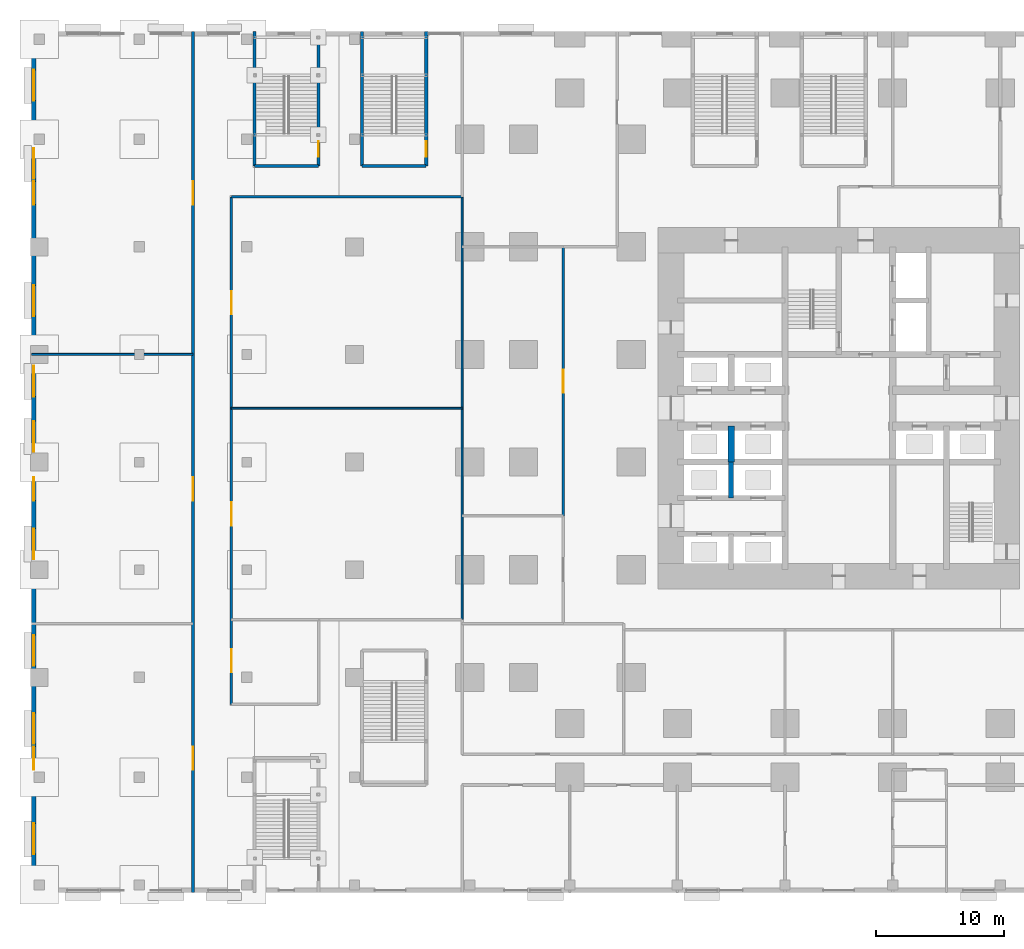
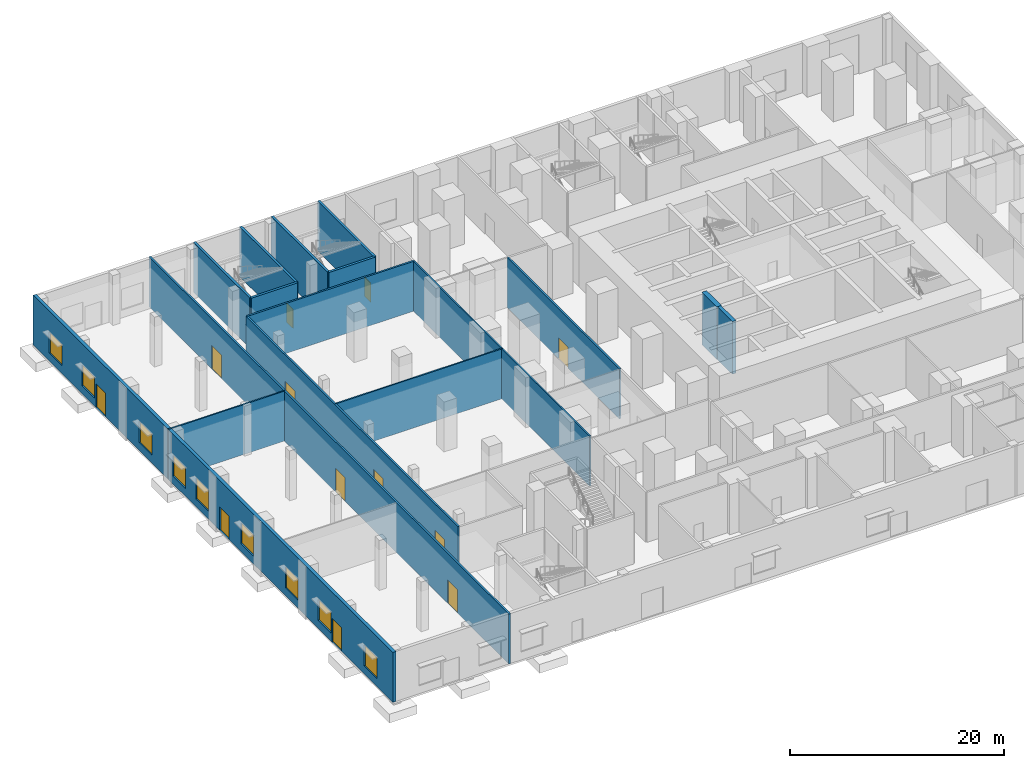
# One storey, part 17 of 26: 16 walls, 12 doors, 9 windows, 21 openings.
"""IFC4 building model written with IfcOpenShell, lengths in metres."""

import ifcopenshell
import ifcopenshell.guid

model = None  # the IFC model being written
_history = None  # IfcOwnerHistory: only IFC2X3 demands one
_inside = {}  # id of a spatial element -> (the spatial element, [elements in it])
_under = {}  # id of a project, library or spatial element -> (it, [spatial elements below it])
_declared = {}  # id of a project -> (the project, [libraries it declares])
_typed = {}  # id of a type object -> (the type object, [elements of that type])
_made_of = {}  # id of a material, layer set ... -> (it, [elements and type objects made of it])


def new_model(schema):
    """Start an empty IFC model of exactly this schema.

    Asked for "IFC4X3", IfcOpenShell would pick the latest addendum, in which some entities
    have other attributes; the version numbers below select the first issue.
    IFC2X3 requires an IfcOwnerHistory on every rooted entity: one is made here for all.
    """
    global model, _history
    if schema == "IFC4X3":
        model = ifcopenshell.file(schema_version=(4, 3, 0, 0))
    else:
        model = ifcopenshell.file(schema=schema)
    _inside.clear()
    _under.clear()
    _declared.clear()
    _typed.clear()
    _made_of.clear()
    _history = None
    if model.schema == "IFC2X3":
        org = make("IfcOrganization", Name="unknown")
        user = make(
            "IfcPersonAndOrganization",
            ThePerson=make("IfcPerson", FamilyName="unknown"),
            TheOrganization=org,
        )
        app = make(
            "IfcApplication",
            ApplicationDeveloper=org,
            Version="unknown",
            ApplicationFullName="unknown",
            ApplicationIdentifier="unknown",
        )
        _history = make(
            "IfcOwnerHistory",
            OwningUser=user,
            OwningApplication=app,
            ChangeAction="ADDED",
            CreationDate=0,
        )
    return model


def make(cls, **values):
    """One entity of the class cls with the attributes given. An attribute that is None is left unset."""
    return model.create_entity(
        cls, **{name: value for name, value in values.items() if value is not None}
    )


def rooted(cls, **values):
    """An entity with a GlobalId (a new one), such as an element, a storey or a relation."""
    return make(cls, GlobalId=ifcopenshell.guid.new(), OwnerHistory=_history, **values)


def si_unit(unit_type, name, prefix=None):
    """IfcSIUnit, for example si_unit("LENGTHUNIT", "METRE", prefix="MILLI")."""
    return make("IfcSIUnit", UnitType=unit_type, Prefix=prefix, Name=name)


def assignment(units):
    """IfcUnitAssignment: the units of a project."""
    return None if units is None else make("IfcUnitAssignment", Units=units)


def point(xyz):
    """IfcCartesianPoint."""
    return None if xyz is None else make("IfcCartesianPoint", Coordinates=xyz)


def direction(xyz):
    """IfcDirection."""
    return None if xyz is None else make("IfcDirection", DirectionRatios=xyz)


def frame(location, z_axis=None, x_axis=None):
    """IfcAxis2Placement3D, a coordinate frame: its origin and axes. An axis left out is left unset."""
    return make(
        "IfcAxis2Placement3D",
        Location=point(location),
        Axis=direction(z_axis),
        RefDirection=direction(x_axis),
    )


def frame_2d(location, x_axis=None):
    """IfcAxis2Placement2D, a coordinate frame in the plane: its origin and x axis."""
    return make(
        "IfcAxis2Placement2D", Location=point(location), RefDirection=direction(x_axis)
    )


def origin():
    """The frame at (0, 0, 0) with its axes left unset."""
    return frame((0.0, 0.0, 0.0))


def place(relative_to, where):
    """IfcLocalPlacement: puts the frame where relative to a parent placement (None: the world)."""
    return make(
        "IfcLocalPlacement", PlacementRelTo=relative_to, RelativePlacement=where
    )


def context(
    kind, dimensions, precision=None, world=None, true_north=None, identifier=None
):
    """IfcGeometricRepresentationContext, for example the 3D "Model" context."""
    return make(
        "IfcGeometricRepresentationContext",
        ContextIdentifier=identifier,
        ContextType=kind,
        CoordinateSpaceDimension=dimensions,
        Precision=precision,
        WorldCoordinateSystem=world,
        TrueNorth=true_north,
    )


def subcontext(parent, identifier, kind, view, scale=None):
    """IfcGeometricRepresentationSubContext, for example "Body" below "Model"."""
    return make(
        "IfcGeometricRepresentationSubContext",
        ContextIdentifier=identifier,
        ContextType=kind,
        ParentContext=parent,
        TargetScale=scale,
        TargetView=view,
    )


def project(units=None, contexts=None):
    """IfcProject with its units and contexts."""
    return rooted(
        "IfcProject",
        Name="project",
        RepresentationContexts=contexts,
        UnitsInContext=assignment(units),
    )


def spatial(cls, under=None, at=None, **own):
    """A site, building, storey or space (cls), placed at a placement, below another one or the project."""
    s = rooted(cls, ObjectPlacement=at, **own)
    if under is not None:
        _under.setdefault(under.id(), (under, []))[1].append(s)
    return s


def profile(cls, at=None, kind="AREA", **sizes):
    """A parametric profile (cls). Its sizes go by their IFC names, for example OverallWidth=200.0."""
    return make(cls, ProfileType=kind, Position=at, **sizes)


def rectangle(**sizes):
    """IfcRectangleProfileDef."""
    return profile("IfcRectangleProfileDef", **sizes)


def extrude(swept, where, along, depth):
    """IfcExtrudedAreaSolid: the profile swept, set in the frame where, extruded along a direction by depth."""
    return make(
        "IfcExtrudedAreaSolid",
        SweptArea=swept,
        Position=where,
        ExtrudedDirection=direction(along),
        Depth=depth,
    )


def shape(context_of_items, identifier, shape_type, items):
    """IfcShapeRepresentation: the items that make up one representation, for example the "Body"."""
    return make(
        "IfcShapeRepresentation",
        ContextOfItems=context_of_items,
        RepresentationIdentifier=identifier,
        RepresentationType=shape_type,
        Items=items,
    )


def material(Name=None, Category=None):
    """IfcMaterial."""
    return make("IfcMaterial", Name=Name, Category=Category)


def layer(
    of_material, thickness, ventilated=None, Name=None, Category=None, Priority=None
):
    """IfcMaterialLayer: one layer of a wall or slab, of a material (None: an air gap)."""
    return make(
        "IfcMaterialLayer",
        Material=of_material,
        LayerThickness=thickness,
        IsVentilated=ventilated,
        Name=Name,
        Category=Category,
        Priority=Priority,
    )


def layer_set(layers, Name=None):
    """IfcMaterialLayerSet."""
    return make("IfcMaterialLayerSet", MaterialLayers=layers, LayerSetName=Name)


def made_of(thing, what):
    """Note that an element or type object is made of a material, layer set ...; save() writes the relation."""
    if what is not None:
        _made_of.setdefault(what.id(), (what, []))[1].append(thing)
    return thing


def type_object(cls, material=None, **own):
    """A type object (cls), such as IfcWallType, which elements share."""
    return made_of(rooted(cls, **own), material)


def element(
    cls,
    number,
    at=None,
    inside=None,
    cuts=None,
    type_object=None,
    material=None,
    context=None,
    identifier="Body",
    shape_type=None,
    held_by="IfcProductDefinitionShape",
    body=None,
    shapes=None,
    **own,
):
    """One element of the class cls, such as IfcWall. Its Tag is "e" and its number.

    at: its placement. inside: the storey or other place that contains it. cuts: it is an
    opening in that element (IfcRelVoidsElement). A single representation is given by context,
    identifier, shape_type and body (its items); several are given by shapes. held_by: the class
    of the entity that holds the representations. save() writes the other relations.
    """
    e = rooted(cls, Tag="e%d" % number, ObjectPlacement=at, **own)
    if body is not None:
        shapes = [shape(context, identifier, shape_type, body)]
    if shapes is not None:
        e.Representation = make(held_by, Representations=shapes)
    if inside is not None:
        _inside.setdefault(inside.id(), (inside, []))[1].append(e)
    if cuts is not None:
        rooted(
            "IfcRelVoidsElement", RelatingBuildingElement=cuts, RelatedOpeningElement=e
        )
    if type_object is not None:
        _typed.setdefault(type_object.id(), (type_object, []))[1].append(e)
    return made_of(e, material)


def fill(opening, filler):
    """IfcRelFillsElement: the door or window that sits in an opening."""
    return rooted(
        "IfcRelFillsElement",
        RelatingOpeningElement=opening,
        RelatedBuildingElement=filler,
    )


def aggregate(whole, parts):
    """IfcRelAggregates: a whole, such as a stair, and the parts it consists of."""
    return rooted("IfcRelAggregates", RelatingObject=whole, RelatedObjects=parts)


def save(model, path):
    """Write the relations noted so far, then the file.

    IfcRelAggregates (storeys below a building ...), IfcRelContainedInSpatialStructure (elements
    in a storey), IfcRelDefinesByType, IfcRelAssociatesMaterial and IfcRelDeclares: one each for
    every whole, place, type object, material and project.
    """
    for whole, parts in _under.values():
        aggregate(whole, parts)
    for where, things in _inside.values():
        rooted(
            "IfcRelContainedInSpatialStructure",
            RelatedElements=things,
            RelatingStructure=where,
        )
    for kind, things in _typed.values():
        rooted("IfcRelDefinesByType", RelatedObjects=things, RelatingType=kind)
    for what, things in _made_of.values():
        rooted("IfcRelAssociatesMaterial", RelatedObjects=things, RelatingMaterial=what)
    for by, libraries in _declared.values():
        rooted("IfcRelDeclares", RelatingContext=by, RelatedDefinitions=libraries)
    model.write(path)


model = new_model("IFC4")

# Units and contexts
model_context = context("Model", 3, precision=1e-05, world=origin(), true_north=direction((0.0, 1.0)))
body_context = subcontext(model_context, "Body", "Model", "MODEL_VIEW")
ifc_project = project(units=[si_unit("LENGTHUNIT", "METRE"), si_unit("AREAUNIT", "SQUARE_METRE"), si_unit("VOLUMEUNIT", "CUBIC_METRE"), si_unit("PLANEANGLEUNIT", "RADIAN"), si_unit("MASSUNIT", "GRAM", prefix="KILO")], contexts=[model_context])

# Site, building, storey
site_placement = place(None, origin())
site = spatial("IfcSite", under=ifc_project, at=site_placement, CompositionType="ELEMENT")
building_placement = place(site_placement, origin())
building = spatial("IfcBuilding", under=site, at=building_placement, Name="Dunama Terrace Hotel", CompositionType="ELEMENT")
storey_placement = place(building_placement, origin())
storey = spatial("IfcBuildingStorey", under=building, at=storey_placement, Name="L00", CompositionType="ELEMENT", Elevation=0.0)

# Walls
ifc_material_1 = material(Name="Concrete C50/60", Category="concrete")
ifc_layer_1 = layer(ifc_material_1, 0.39990234375)
ifc_layer_set_1 = layer_set([ifc_layer_1], Name="Core inner wall 400")
wall_type_1 = type_object("IfcWallType", Name="Core inner wall 400", PredefinedType="SHEAR", material=ifc_layer_set_1)
wall_1_placement = place(storey_placement, frame((21.0, 22.39990234375, -0.300048828125), z_axis=(0.0, 0.0, 1.0), x_axis=(0.0, 1.0, 0.0)))
element("IfcWall", 1, at=wall_1_placement, inside=storey, type_object=wall_type_1, Name="Core inner wall 400 L00", PredefinedType="SHEAR", context=body_context, shape_type="SweptSolid", body=[
    extrude(rectangle(XDim=2.800048828125, YDim=0.39990234375, at=frame_2d((1.39990234375, 0.0))), origin(), (0.0, 0.0, 1.0), 6.0),
])
ifc_material_2 = material(Name="Concrete C50/60", Category="concrete")
ifc_layer_2 = layer(ifc_material_2, 0.5)
ifc_layer_set_2 = layer_set([ifc_layer_2], Name="Core inner wall 500")
wall_type_2 = type_object("IfcWallType", Name="Core inner wall 500", PredefinedType="SHEAR", material=ifc_layer_set_2)
wall_2_placement = place(storey_placement, frame((21.0, 25.199951171875, -0.300048828125), z_axis=(0.0, 0.0, 1.0), x_axis=(0.0, 1.0, 0.0)))
element("IfcWall", 2, at=wall_2_placement, inside=storey, type_object=wall_type_2, Name="Core inner wall 500 L00", PredefinedType="SHEAR", context=body_context, shape_type="SweptSolid", body=[
    extrude(rectangle(XDim=2.800048828125, YDim=0.5, at=frame_2d((1.39990234375, 0.0))), origin(), (0.0, 0.0, 1.0), 6.0),
])

# Wall, openings, doors
ifc_material_3 = material(Name="Concrete blockwork", Category="masonry")
ifc_layer_3 = layer(ifc_material_3, 0.199951171875)
ifc_layer_set_3 = layer_set([ifc_layer_3], Name="Corridor partition 200")
wall_type_3 = type_object("IfcWallType", Name="Corridor partition 200", PredefinedType="PARTITIONING", material=ifc_layer_set_3)
wall_3_placement = place(storey_placement, frame((-18.0, 6.300048828125, 0.0), z_axis=(0.0, 0.0, 1.0), x_axis=(0.0, 1.0, 0.0)))
wall_3 = element("IfcWall", 3, at=wall_3_placement, inside=storey, type_object=wall_type_3, Name="Corridor partition 200 L00", PredefinedType="PARTITIONING", context=body_context, shape_type="SweptSolid", body=[
    extrude(rectangle(XDim=39.599853515625, YDim=0.199951171875, at=frame_2d((19.7998046875, 0.0))), origin(), (0.0, 0.0, 1.0), 5.699951171875),
])
opening_1_placement = place(wall_3_placement, frame((13.949951171875, 0.0, 0.0)))
opening_1 = element("IfcOpeningElement", 4, at=opening_1_placement, cuts=wall_3, Name="Opening L00-069", PredefinedType="OPENING", context=body_context, shape_type="SweptSolid", body=[
    extrude(rectangle(XDim=1.800048828125, YDim=2.699951171875, at=frame_2d((0.89990234375, 1.35009765625))), frame((0.0, 0.10986328125, 0.0), z_axis=(0.0, -1.0, 0.0), x_axis=(1.0, 0.0, 0.0)), (0.0, 0.0, 1.0), 0.219970703125),
])
opening_2_placement = place(wall_3_placement, frame((30.449951171875, 0.0, 0.0)))
opening_2 = element("IfcOpeningElement", 5, at=opening_2_placement, cuts=wall_3, Name="Opening L00-070", PredefinedType="OPENING", context=body_context, shape_type="SweptSolid", body=[
    extrude(rectangle(XDim=1.800048828125, YDim=2.699951171875, at=frame_2d((0.89990234375, 1.35009765625))), frame((0.0, 0.10986328125, 0.0), z_axis=(0.0, -1.0, 0.0), x_axis=(1.0, 0.0, 0.0)), (0.0, 0.0, 1.0), 0.219970703125),
])
opening_3_placement = place(wall_3_placement, frame((2.5, 0.0, 0.0)))
opening_3 = element("IfcOpeningElement", 6, at=opening_3_placement, cuts=wall_3, Name="Opening L00-077", PredefinedType="OPENING", context=body_context, shape_type="SweptSolid", body=[
    extrude(rectangle(XDim=1.800048828125, YDim=2.699951171875, at=frame_2d((0.89990234375, 1.35009765625))), frame((0.0, 0.10986328125, 0.0), z_axis=(0.0, -1.0, 0.0), x_axis=(1.0, 0.0, 0.0)), (0.0, 0.0, 1.0), 0.219970703125),
])
ifc_material_4 = material(Name="Aluminium-framed glazed door", Category="aluminium")
door_type_1 = type_object("IfcDoorType", Name="Shopfront door 1800", OperationType="DOUBLE_DOOR_DOUBLE_SWING", PredefinedType="DOOR", material=ifc_material_4)
door_1_placement = place(opening_1_placement, origin())
door_1 = element("IfcDoor", 7, at=door_1_placement, inside=storey, type_object=door_type_1, Name="Door to retail unit r4 L00-069, type D11", OperationType="DOUBLE_DOOR_DOUBLE_SWING", OverallHeight=2.699951171875, OverallWidth=1.800048828125, PredefinedType="DOOR", context=body_context, shape_type="SweptSolid", body=[
    extrude(rectangle(XDim=1.800048828125, YDim=2.699951171875, at=frame_2d((0.89990234375, 1.35009765625))), frame((0.0, 0.02490234375, 0.0), z_axis=(0.0, -1.0, 0.0), x_axis=(1.0, 0.0, 0.0)), (0.0, 0.0, 1.0), 0.050048828125),
])
fill(opening_1, door_1)
door_2_placement = place(opening_2_placement, origin())
door_2 = element("IfcDoor", 8, at=door_2_placement, inside=storey, type_object=door_type_1, Name="Door to retail unit r5 L00-070, type D11", OperationType="DOUBLE_DOOR_DOUBLE_SWING", OverallHeight=2.699951171875, OverallWidth=1.800048828125, PredefinedType="DOOR", context=body_context, shape_type="SweptSolid", body=[
    extrude(rectangle(XDim=1.800048828125, YDim=2.699951171875, at=frame_2d((0.89990234375, 1.35009765625))), frame((0.0, 0.02490234375, 0.0), z_axis=(0.0, -1.0, 0.0), x_axis=(1.0, 0.0, 0.0)), (0.0, 0.0, 1.0), 0.050048828125),
])
fill(opening_2, door_2)
door_3_placement = place(opening_3_placement, origin())
door_3 = element("IfcDoor", 9, at=door_3_placement, inside=storey, type_object=door_type_1, Name="Door to newsagent retail kiosk L00-077, type D11", OperationType="DOUBLE_DOOR_DOUBLE_SWING", OverallHeight=2.699951171875, OverallWidth=1.800048828125, PredefinedType="DOOR", context=body_context, shape_type="SweptSolid", body=[
    extrude(rectangle(XDim=1.800048828125, YDim=2.699951171875, at=frame_2d((0.89990234375, 1.35009765625))), frame((0.0, 0.02490234375, 0.0), z_axis=(0.0, -1.0, 0.0), x_axis=(1.0, 0.0, 0.0)), (0.0, 0.0, 1.0), 0.050048828125),
])
fill(opening_3, door_3)

# Wall
wall_4_placement = place(storey_placement, frame((-18.0, 45.89990234375, 0.0), z_axis=(0.0, 0.0, 1.0), x_axis=(1.0, 0.0, 0.0)))
element("IfcWall", 10, at=wall_4_placement, inside=storey, type_object=wall_type_3, Name="Corridor partition 200 L00", PredefinedType="PARTITIONING", context=body_context, shape_type="SweptSolid", body=[
    extrude(rectangle(XDim=18.0, YDim=0.199951171875, at=frame_2d((9.0, 0.0))), origin(), (0.0, 0.0, 1.0), 5.699951171875),
])

# Wall, openings, doors
wall_5_placement = place(storey_placement, frame((-21.0, 58.800048828125, 0.0), z_axis=(0.0, 0.0, 1.0), x_axis=(0.0, -1.0, 0.0)))
wall_5 = element("IfcWall", 11, at=wall_5_placement, inside=storey, type_object=wall_type_3, Name="Corridor partition 200 L00", PredefinedType="PARTITIONING", context=body_context, shape_type="SweptSolid", body=[
    extrude(rectangle(XDim=67.199951171875, YDim=0.199951171875, at=frame_2d((33.60009765625, 0.0))), origin(), (0.0, 0.0, 1.0), 5.699951171875),
])
opening_4_placement = place(wall_5_placement, frame((55.800048828125, 0.0, 0.0)))
opening_4 = element("IfcOpeningElement", 12, at=opening_4_placement, cuts=wall_5, Name="Opening L00-052", PredefinedType="OPENING", context=body_context, shape_type="SweptSolid", body=[
    extrude(rectangle(XDim=1.800048828125, YDim=2.699951171875, at=frame_2d((0.89990234375, 1.35009765625))), frame((0.0, 0.10986328125, 0.0), z_axis=(0.0, -1.0, 0.0), x_axis=(1.0, 0.0, 0.0)), (0.0, 0.0, 1.0), 0.219970703125),
])
opening_5_placement = place(wall_5_placement, frame((34.800048828125, 0.0, 0.0)))
opening_5 = element("IfcOpeningElement", 13, at=opening_5_placement, cuts=wall_5, Name="Opening L00-053", PredefinedType="OPENING", context=body_context, shape_type="SweptSolid", body=[
    extrude(rectangle(XDim=1.800048828125, YDim=2.699951171875, at=frame_2d((0.89990234375, 1.35009765625))), frame((0.0, 0.10986328125, 0.0), z_axis=(0.0, -1.0, 0.0), x_axis=(1.0, 0.0, 0.0)), (0.0, 0.0, 1.0), 0.219970703125),
])
opening_6_placement = place(wall_5_placement, frame((11.699951171875, 0.0, 0.0)))
opening_6 = element("IfcOpeningElement", 14, at=opening_6_placement, cuts=wall_5, Name="Opening L00-054", PredefinedType="OPENING", context=body_context, shape_type="SweptSolid", body=[
    extrude(rectangle(XDim=1.800048828125, YDim=2.699951171875, at=frame_2d((0.89990234375, 1.35009765625))), frame((0.0, 0.10986328125, 0.0), z_axis=(0.0, -1.0, 0.0), x_axis=(1.0, 0.0, 0.0)), (0.0, 0.0, 1.0), 0.219970703125),
])
door_4_placement = place(opening_4_placement, origin())
door_4 = element("IfcDoor", 15, at=door_4_placement, inside=storey, type_object=door_type_1, Name="Door to retail unit r1 L00-052, type D11", OperationType="DOUBLE_DOOR_DOUBLE_SWING", OverallHeight=2.699951171875, OverallWidth=1.800048828125, PredefinedType="DOOR", context=body_context, shape_type="SweptSolid", body=[
    extrude(rectangle(XDim=1.800048828125, YDim=2.699951171875, at=frame_2d((0.89990234375, 1.35009765625))), frame((0.0, 0.02490234375, 0.0), z_axis=(0.0, -1.0, 0.0), x_axis=(1.0, 0.0, 0.0)), (0.0, 0.0, 1.0), 0.050048828125),
])
fill(opening_4, door_4)
door_5_placement = place(opening_5_placement, origin())
door_5 = element("IfcDoor", 16, at=door_5_placement, inside=storey, type_object=door_type_1, Name="Door to retail unit r2 L00-053, type D11", OperationType="DOUBLE_DOOR_DOUBLE_SWING", OverallHeight=2.699951171875, OverallWidth=1.800048828125, PredefinedType="DOOR", context=body_context, shape_type="SweptSolid", body=[
    extrude(rectangle(XDim=1.800048828125, YDim=2.699951171875, at=frame_2d((0.89990234375, 1.35009765625))), frame((0.0, 0.02490234375, 0.0), z_axis=(0.0, -1.0, 0.0), x_axis=(1.0, 0.0, 0.0)), (0.0, 0.0, 1.0), 0.050048828125),
])
fill(opening_5, door_5)
door_6_placement = place(opening_6_placement, origin())
door_6 = element("IfcDoor", 17, at=door_6_placement, inside=storey, type_object=door_type_1, Name="Door to retail unit r3 L00-054, type D11", OperationType="DOUBLE_DOOR_DOUBLE_SWING", OverallHeight=2.699951171875, OverallWidth=1.800048828125, PredefinedType="DOOR", context=body_context, shape_type="SweptSolid", body=[
    extrude(rectangle(XDim=1.800048828125, YDim=2.699951171875, at=frame_2d((0.89990234375, 1.35009765625))), frame((0.0, 0.02490234375, 0.0), z_axis=(0.0, -1.0, 0.0), x_axis=(1.0, 0.0, 0.0)), (0.0, 0.0, 1.0), 0.050048828125),
])
fill(opening_6, door_6)

# Wall, opening, door
wall_6_placement = place(storey_placement, frame((7.89990234375, 42.0, 0.0), z_axis=(0.0, 0.0, 1.0), x_axis=(0.0, -1.0, 0.0)))
wall_6 = element("IfcWall", 18, at=wall_6_placement, inside=storey, type_object=wall_type_3, Name="Corridor partition 200 L00", PredefinedType="PARTITIONING", context=body_context, shape_type="SweptSolid", body=[
    extrude(rectangle(XDim=21.0, YDim=0.199951171875, at=frame_2d((10.5, 0.0))), origin(), (0.0, 0.0, 1.0), 5.699951171875),
])
opening_7_placement = place(wall_6_placement, frame((9.60009765625, 0.0, 0.0)))
opening_7 = element("IfcOpeningElement", 19, at=opening_7_placement, cuts=wall_6, Name="Opening L00-072", PredefinedType="OPENING", context=body_context, shape_type="SweptSolid", body=[
    extrude(rectangle(XDim=1.800048828125, YDim=2.39990234375, at=frame_2d((0.89990234375, 1.199951171875))), frame((0.0, 0.10986328125, 0.0), z_axis=(0.0, -1.0, 0.0), x_axis=(1.0, 0.0, 0.0)), (0.0, 0.0, 1.0), 0.219970703125),
])
ifc_material_5 = material(Name="Aluminium-framed glazed door", Category="aluminium")
door_type_2 = type_object("IfcDoorType", Name="Glazed double door 1800", OperationType="DOUBLE_DOOR_DOUBLE_SWING", PredefinedType="DOOR", material=ifc_material_5)
door_7_placement = place(opening_7_placement, origin())
door_7 = element("IfcDoor", 20, at=door_7_placement, inside=storey, type_object=door_type_2, Name="Door to garden restaurant L00-072, type D8", OperationType="DOUBLE_DOOR_DOUBLE_SWING", OverallHeight=2.39990234375, OverallWidth=1.800048828125, PredefinedType="DOOR", context=body_context, shape_type="SweptSolid", body=[
    extrude(rectangle(XDim=1.800048828125, YDim=2.39990234375, at=frame_2d((0.89990234375, 1.199951171875))), frame((0.0, 0.02490234375, 0.0), z_axis=(0.0, -1.0, 0.0), x_axis=(1.0, 0.0, 0.0)), (0.0, 0.0, 1.0), 0.050048828125),
])
fill(opening_7, door_7)

# Wall, openings, windows, doors
ifc_material_6 = material(Name="Granite-faced concrete blockwork", Category="masonry")
ifc_layer_4 = layer(ifc_material_6, 0.35009765625)
ifc_layer_set_4 = layer_set([ifc_layer_4], Name="Podium external wall 350")
wall_type_4 = type_object("IfcWallType", Name="Podium external wall 350", PredefinedType="SOLIDWALL", material=ifc_layer_set_4)
wall_7_placement = place(storey_placement, frame((-33.425048828125, 58.800048828125, 0.0), z_axis=(0.0, 0.0, 1.0), x_axis=(0.0, -1.0, 0.0)))
wall_7 = element("IfcWall", 21, at=wall_7_placement, inside=storey, type_object=wall_type_4, Name="Podium external wall 350 L00", PredefinedType="SOLIDWALL", context=body_context, shape_type="SweptSolid", body=[
    extrude(rectangle(XDim=67.199951171875, YDim=0.35009765625, at=frame_2d((33.60009765625, 0.0))), origin(), (0.0, 0.0, 1.0), 5.699951171875),
])
opening_8_placement = place(wall_7_placement, frame((55.800048828125, 0.0, 0.0)))
opening_8 = element("IfcOpeningElement", 22, at=opening_8_placement, cuts=wall_7, Name="Opening L00-017", PredefinedType="OPENING", context=body_context, shape_type="SweptSolid", body=[
    extrude(rectangle(XDim=1.800048828125, YDim=2.699951171875, at=frame_2d((0.89990234375, 1.35009765625))), frame((0.0, 0.18505859375, 0.0), z_axis=(0.0, -1.0, 0.0), x_axis=(1.0, 0.0, 0.0)), (0.0, 0.0, 1.0), 0.3701171875),
])
opening_9_placement = place(wall_7_placement, frame((61.800048828125, 0.0, 0.89990234375)))
opening_9 = element("IfcOpeningElement", 23, at=opening_9_placement, cuts=wall_7, Name="Opening W1", PredefinedType="OPENING", context=body_context, shape_type="SweptSolid", body=[
    extrude(rectangle(XDim=2.39990234375, YDim=2.39990234375, at=frame_2d((1.199951171875, 1.199951171875))), frame((0.0, 0.18505859375, 0.0), z_axis=(0.0, -1.0, 0.0), x_axis=(1.0, 0.0, 0.0)), (0.0, 0.0, 1.0), 0.3701171875),
])
opening_10_placement = place(wall_7_placement, frame((53.199951171875, 0.0, 0.89990234375)))
opening_10 = element("IfcOpeningElement", 24, at=opening_10_placement, cuts=wall_7, Name="Opening W1", PredefinedType="OPENING", context=body_context, shape_type="SweptSolid", body=[
    extrude(rectangle(XDim=2.39990234375, YDim=2.39990234375, at=frame_2d((1.199951171875, 1.199951171875))), frame((0.0, 0.18505859375, 0.0), z_axis=(0.0, -1.0, 0.0), x_axis=(1.0, 0.0, 0.0)), (0.0, 0.0, 1.0), 0.3701171875),
])
opening_11_placement = place(wall_7_placement, frame((47.10009765625, 0.0, 0.89990234375)))
opening_11 = element("IfcOpeningElement", 25, at=opening_11_placement, cuts=wall_7, Name="Opening W1", PredefinedType="OPENING", context=body_context, shape_type="SweptSolid", body=[
    extrude(rectangle(XDim=2.39990234375, YDim=2.39990234375, at=frame_2d((1.199951171875, 1.199951171875))), frame((0.0, 0.18505859375, 0.0), z_axis=(0.0, -1.0, 0.0), x_axis=(1.0, 0.0, 0.0)), (0.0, 0.0, 1.0), 0.3701171875),
])
opening_12_placement = place(wall_7_placement, frame((34.800048828125, 0.0, 0.0)))
opening_12 = element("IfcOpeningElement", 26, at=opening_12_placement, cuts=wall_7, Name="Opening L00-018", PredefinedType="OPENING", context=body_context, shape_type="SweptSolid", body=[
    extrude(rectangle(XDim=1.800048828125, YDim=2.699951171875, at=frame_2d((0.89990234375, 1.35009765625))), frame((0.0, 0.18505859375, 0.0), z_axis=(0.0, -1.0, 0.0), x_axis=(1.0, 0.0, 0.0)), (0.0, 0.0, 1.0), 0.3701171875),
])
opening_13_placement = place(wall_7_placement, frame((38.800048828125, 0.0, 0.89990234375)))
opening_13 = element("IfcOpeningElement", 27, at=opening_13_placement, cuts=wall_7, Name="Opening W1", PredefinedType="OPENING", context=body_context, shape_type="SweptSolid", body=[
    extrude(rectangle(XDim=2.39990234375, YDim=2.39990234375, at=frame_2d((1.199951171875, 1.199951171875))), frame((0.0, 0.18505859375, 0.0), z_axis=(0.0, -1.0, 0.0), x_axis=(1.0, 0.0, 0.0)), (0.0, 0.0, 1.0), 0.3701171875),
])
opening_14_placement = place(wall_7_placement, frame((30.39990234375, 0.0, 0.89990234375)))
opening_14 = element("IfcOpeningElement", 28, at=opening_14_placement, cuts=wall_7, Name="Opening W1", PredefinedType="OPENING", context=body_context, shape_type="SweptSolid", body=[
    extrude(rectangle(XDim=2.39990234375, YDim=2.39990234375, at=frame_2d((1.199951171875, 1.199951171875))), frame((0.0, 0.18505859375, 0.0), z_axis=(0.0, -1.0, 0.0), x_axis=(1.0, 0.0, 0.0)), (0.0, 0.0, 1.0), 0.3701171875),
])
opening_15_placement = place(wall_7_placement, frame((26.10009765625, 0.0, 0.89990234375)))
opening_15 = element("IfcOpeningElement", 29, at=opening_15_placement, cuts=wall_7, Name="Opening W1", PredefinedType="OPENING", context=body_context, shape_type="SweptSolid", body=[
    extrude(rectangle(XDim=2.39990234375, YDim=2.39990234375, at=frame_2d((1.199951171875, 1.199951171875))), frame((0.0, 0.18505859375, 0.0), z_axis=(0.0, -1.0, 0.0), x_axis=(1.0, 0.0, 0.0)), (0.0, 0.0, 1.0), 0.3701171875),
])
opening_16_placement = place(wall_7_placement, frame((11.699951171875, 0.0, 0.0)))
opening_16 = element("IfcOpeningElement", 30, at=opening_16_placement, cuts=wall_7, Name="Opening L00-019", PredefinedType="OPENING", context=body_context, shape_type="SweptSolid", body=[
    extrude(rectangle(XDim=1.800048828125, YDim=2.699951171875, at=frame_2d((0.89990234375, 1.35009765625))), frame((0.0, 0.18505859375, 0.0), z_axis=(0.0, -1.0, 0.0), x_axis=(1.0, 0.0, 0.0)), (0.0, 0.0, 1.0), 0.3701171875),
])
opening_17_placement = place(wall_7_placement, frame((19.800048828125, 0.0, 0.89990234375)))
opening_17 = element("IfcOpeningElement", 31, at=opening_17_placement, cuts=wall_7, Name="Opening W1", PredefinedType="OPENING", context=body_context, shape_type="SweptSolid", body=[
    extrude(rectangle(XDim=2.39990234375, YDim=2.39990234375, at=frame_2d((1.199951171875, 1.199951171875))), frame((0.0, 0.18505859375, 0.0), z_axis=(0.0, -1.0, 0.0), x_axis=(1.0, 0.0, 0.0)), (0.0, 0.0, 1.0), 0.3701171875),
])
opening_18_placement = place(wall_7_placement, frame((9.10009765625, 0.0, 0.89990234375)))
opening_18 = element("IfcOpeningElement", 32, at=opening_18_placement, cuts=wall_7, Name="Opening W1", PredefinedType="OPENING", context=body_context, shape_type="SweptSolid", body=[
    extrude(rectangle(XDim=2.39990234375, YDim=2.39990234375, at=frame_2d((1.199951171875, 1.199951171875))), frame((0.0, 0.18505859375, 0.0), z_axis=(0.0, -1.0, 0.0), x_axis=(1.0, 0.0, 0.0)), (0.0, 0.0, 1.0), 0.3701171875),
])
opening_19_placement = place(wall_7_placement, frame((3.0, 0.0, 0.89990234375)))
opening_19 = element("IfcOpeningElement", 33, at=opening_19_placement, cuts=wall_7, Name="Opening W1", PredefinedType="OPENING", context=body_context, shape_type="SweptSolid", body=[
    extrude(rectangle(XDim=2.39990234375, YDim=2.39990234375, at=frame_2d((1.199951171875, 1.199951171875))), frame((0.0, 0.18505859375, 0.0), z_axis=(0.0, -1.0, 0.0), x_axis=(1.0, 0.0, 0.0)), (0.0, 0.0, 1.0), 0.3701171875),
])
ifc_material_7 = material(Name="Aluminium-framed double glazed window", Category="aluminium")
window_type = type_object("IfcWindowType", Name="Podium window 2400", PartitioningType="SINGLE_PANEL", PredefinedType="WINDOW", material=ifc_material_7)
window_1_placement = place(opening_9_placement, origin())
window_1 = element("IfcWindow", 34, at=window_1_placement, inside=storey, type_object=window_type, Name="Podium window 2400 L00", OverallHeight=2.39990234375, OverallWidth=2.39990234375, PartitioningType="SINGLE_PANEL", PredefinedType="WINDOW", context=body_context, shape_type="SweptSolid", body=[
    extrude(rectangle(XDim=2.39990234375, YDim=2.39990234375, at=frame_2d((1.199951171875, 1.199951171875))), frame((0.0, 0.030029296875, 0.0), z_axis=(0.0, -1.0, 0.0), x_axis=(1.0, 0.0, 0.0)), (0.0, 0.0, 1.0), 0.06005859375),
])
fill(opening_9, window_1)
window_2_placement = place(opening_10_placement, origin())
window_2 = element("IfcWindow", 35, at=window_2_placement, inside=storey, type_object=window_type, Name="Podium window 2400 L00", OverallHeight=2.39990234375, OverallWidth=2.39990234375, PartitioningType="SINGLE_PANEL", PredefinedType="WINDOW", context=body_context, shape_type="SweptSolid", body=[
    extrude(rectangle(XDim=2.39990234375, YDim=2.39990234375, at=frame_2d((1.199951171875, 1.199951171875))), frame((0.0, 0.030029296875, 0.0), z_axis=(0.0, -1.0, 0.0), x_axis=(1.0, 0.0, 0.0)), (0.0, 0.0, 1.0), 0.06005859375),
])
fill(opening_10, window_2)
window_3_placement = place(opening_11_placement, origin())
window_3 = element("IfcWindow", 36, at=window_3_placement, inside=storey, type_object=window_type, Name="Podium window 2400 L00", OverallHeight=2.39990234375, OverallWidth=2.39990234375, PartitioningType="SINGLE_PANEL", PredefinedType="WINDOW", context=body_context, shape_type="SweptSolid", body=[
    extrude(rectangle(XDim=2.39990234375, YDim=2.39990234375, at=frame_2d((1.199951171875, 1.199951171875))), frame((0.0, 0.030029296875, 0.0), z_axis=(0.0, -1.0, 0.0), x_axis=(1.0, 0.0, 0.0)), (0.0, 0.0, 1.0), 0.06005859375),
])
fill(opening_11, window_3)
window_4_placement = place(opening_13_placement, origin())
window_4 = element("IfcWindow", 37, at=window_4_placement, inside=storey, type_object=window_type, Name="Podium window 2400 L00", OverallHeight=2.39990234375, OverallWidth=2.39990234375, PartitioningType="SINGLE_PANEL", PredefinedType="WINDOW", context=body_context, shape_type="SweptSolid", body=[
    extrude(rectangle(XDim=2.39990234375, YDim=2.39990234375, at=frame_2d((1.199951171875, 1.199951171875))), frame((0.0, 0.030029296875, 0.0), z_axis=(0.0, -1.0, 0.0), x_axis=(1.0, 0.0, 0.0)), (0.0, 0.0, 1.0), 0.06005859375),
])
fill(opening_13, window_4)
window_5_placement = place(opening_14_placement, origin())
window_5 = element("IfcWindow", 38, at=window_5_placement, inside=storey, type_object=window_type, Name="Podium window 2400 L00", OverallHeight=2.39990234375, OverallWidth=2.39990234375, PartitioningType="SINGLE_PANEL", PredefinedType="WINDOW", context=body_context, shape_type="SweptSolid", body=[
    extrude(rectangle(XDim=2.39990234375, YDim=2.39990234375, at=frame_2d((1.199951171875, 1.199951171875))), frame((0.0, 0.030029296875, 0.0), z_axis=(0.0, -1.0, 0.0), x_axis=(1.0, 0.0, 0.0)), (0.0, 0.0, 1.0), 0.06005859375),
])
fill(opening_14, window_5)
window_6_placement = place(opening_15_placement, origin())
window_6 = element("IfcWindow", 39, at=window_6_placement, inside=storey, type_object=window_type, Name="Podium window 2400 L00", OverallHeight=2.39990234375, OverallWidth=2.39990234375, PartitioningType="SINGLE_PANEL", PredefinedType="WINDOW", context=body_context, shape_type="SweptSolid", body=[
    extrude(rectangle(XDim=2.39990234375, YDim=2.39990234375, at=frame_2d((1.199951171875, 1.199951171875))), frame((0.0, 0.030029296875, 0.0), z_axis=(0.0, -1.0, 0.0), x_axis=(1.0, 0.0, 0.0)), (0.0, 0.0, 1.0), 0.06005859375),
])
fill(opening_15, window_6)
window_7_placement = place(opening_17_placement, origin())
window_7 = element("IfcWindow", 40, at=window_7_placement, inside=storey, type_object=window_type, Name="Podium window 2400 L00", OverallHeight=2.39990234375, OverallWidth=2.39990234375, PartitioningType="SINGLE_PANEL", PredefinedType="WINDOW", context=body_context, shape_type="SweptSolid", body=[
    extrude(rectangle(XDim=2.39990234375, YDim=2.39990234375, at=frame_2d((1.199951171875, 1.199951171875))), frame((0.0, 0.030029296875, 0.0), z_axis=(0.0, -1.0, 0.0), x_axis=(1.0, 0.0, 0.0)), (0.0, 0.0, 1.0), 0.06005859375),
])
fill(opening_17, window_7)
window_8_placement = place(opening_18_placement, origin())
window_8 = element("IfcWindow", 41, at=window_8_placement, inside=storey, type_object=window_type, Name="Podium window 2400 L00", OverallHeight=2.39990234375, OverallWidth=2.39990234375, PartitioningType="SINGLE_PANEL", PredefinedType="WINDOW", context=body_context, shape_type="SweptSolid", body=[
    extrude(rectangle(XDim=2.39990234375, YDim=2.39990234375, at=frame_2d((1.199951171875, 1.199951171875))), frame((0.0, 0.030029296875, 0.0), z_axis=(0.0, -1.0, 0.0), x_axis=(1.0, 0.0, 0.0)), (0.0, 0.0, 1.0), 0.06005859375),
])
fill(opening_18, window_8)
window_9_placement = place(opening_19_placement, origin())
window_9 = element("IfcWindow", 42, at=window_9_placement, inside=storey, type_object=window_type, Name="Podium window 2400 L00", OverallHeight=2.39990234375, OverallWidth=2.39990234375, PartitioningType="SINGLE_PANEL", PredefinedType="WINDOW", context=body_context, shape_type="SweptSolid", body=[
    extrude(rectangle(XDim=2.39990234375, YDim=2.39990234375, at=frame_2d((1.199951171875, 1.199951171875))), frame((0.0, 0.030029296875, 0.0), z_axis=(0.0, -1.0, 0.0), x_axis=(1.0, 0.0, 0.0)), (0.0, 0.0, 1.0), 0.06005859375),
])
fill(opening_19, window_9)
door_8_placement = place(opening_8_placement, origin())
door_8 = element("IfcDoor", 43, at=door_8_placement, inside=storey, type_object=door_type_1, Name="Street door Retail unit R1 L00-017, type D11", OperationType="DOUBLE_DOOR_DOUBLE_SWING", OverallHeight=2.699951171875, OverallWidth=1.800048828125, PredefinedType="DOOR", context=body_context, shape_type="SweptSolid", body=[
    extrude(rectangle(XDim=1.800048828125, YDim=2.699951171875, at=frame_2d((0.89990234375, 1.35009765625))), frame((0.0, 0.02490234375, 0.0), z_axis=(0.0, -1.0, 0.0), x_axis=(1.0, 0.0, 0.0)), (0.0, 0.0, 1.0), 0.050048828125),
])
fill(opening_8, door_8)
door_9_placement = place(opening_12_placement, origin())
door_9 = element("IfcDoor", 44, at=door_9_placement, inside=storey, type_object=door_type_1, Name="Street door Retail unit R2 L00-018, type D11", OperationType="DOUBLE_DOOR_DOUBLE_SWING", OverallHeight=2.699951171875, OverallWidth=1.800048828125, PredefinedType="DOOR", context=body_context, shape_type="SweptSolid", body=[
    extrude(rectangle(XDim=1.800048828125, YDim=2.699951171875, at=frame_2d((0.89990234375, 1.35009765625))), frame((0.0, 0.02490234375, 0.0), z_axis=(0.0, -1.0, 0.0), x_axis=(1.0, 0.0, 0.0)), (0.0, 0.0, 1.0), 0.050048828125),
])
fill(opening_12, door_9)
door_10_placement = place(opening_16_placement, origin())
door_10 = element("IfcDoor", 45, at=door_10_placement, inside=storey, type_object=door_type_1, Name="Street door Retail unit R3 L00-019, type D11", OperationType="DOUBLE_DOOR_DOUBLE_SWING", OverallHeight=2.699951171875, OverallWidth=1.800048828125, PredefinedType="DOOR", context=body_context, shape_type="SweptSolid", body=[
    extrude(rectangle(XDim=1.800048828125, YDim=2.699951171875, at=frame_2d((0.89990234375, 1.35009765625))), frame((0.0, 0.02490234375, 0.0), z_axis=(0.0, -1.0, 0.0), x_axis=(1.0, 0.0, 0.0)), (0.0, 0.0, 1.0), 0.050048828125),
])
fill(opening_16, door_10)

# Walls
ifc_material_8 = material(Name="Gypsum board partition", Category="masonry")
ifc_layer_5 = layer(ifc_material_8, 0.14990234375)
ifc_layer_set_5 = layer_set([ifc_layer_5], Name="Room partition 150")
wall_type_5 = type_object("IfcWallType", Name="Room partition 150", PredefinedType="PARTITIONING", material=ifc_layer_set_5)
wall_8_placement = place(storey_placement, frame((0.0, 12.89990234375, 0.0), z_axis=(0.0, 0.0, 1.0), x_axis=(0.0, 1.0, 0.0)))
element("IfcWall", 46, at=wall_8_placement, inside=storey, type_object=wall_type_5, Name="Room partition 150 L00", PredefinedType="PARTITIONING", context=body_context, shape_type="SweptSolid", body=[
    extrude(rectangle(XDim=33.0, YDim=0.14990234375, at=frame_2d((16.5, 0.0))), origin(), (0.0, 0.0, 1.0), 5.699951171875),
])
wall_9_placement = place(storey_placement, frame((-18.0, 29.39990234375, 0.0), z_axis=(0.0, 0.0, 1.0), x_axis=(1.0, 0.0, 0.0)))
element("IfcWall", 47, at=wall_9_placement, inside=storey, type_object=wall_type_5, Name="Room partition 150 L00", PredefinedType="PARTITIONING", context=body_context, shape_type="SweptSolid", body=[
    extrude(rectangle(XDim=18.0, YDim=0.14990234375, at=frame_2d((9.0, 0.0))), origin(), (0.0, 0.0, 1.0), 5.699951171875),
])
wall_10_placement = place(storey_placement, frame((-33.60009765625, 33.60009765625, 0.0), z_axis=(0.0, 0.0, 1.0), x_axis=(1.0, 0.0, 0.0)))
element("IfcWall", 48, at=wall_10_placement, inside=storey, type_object=wall_type_5, Name="Room partition 150 L00", PredefinedType="PARTITIONING", context=body_context, shape_type="SweptSolid", body=[
    extrude(rectangle(XDim=12.60009765625, YDim=0.14990234375, at=frame_2d((6.300048828125, 0.0))), origin(), (0.0, 0.0, 1.0), 5.699951171875),
])
ifc_material_9 = material(Name="Concrete blockwork", Category="masonry")
ifc_layer_6 = layer(ifc_material_9, 0.25)
ifc_layer_set_6 = layer_set([ifc_layer_6], Name="Stair enclosure wall 250")
wall_type_6 = type_object("IfcWallType", Name="Stair enclosure wall 250", PredefinedType="PARTITIONING", material=ifc_layer_set_6)
wall_11_placement = place(storey_placement, frame((-16.199951171875, 48.300048828125, 0.0), z_axis=(0.0, 0.0, 1.0), x_axis=(0.0, 1.0, 0.0)))
element("IfcWall", 49, at=wall_11_placement, inside=storey, type_object=wall_type_6, Name="Stair enclosure wall 250 L00", PredefinedType="PARTITIONING", context=body_context, shape_type="SweptSolid", body=[
    extrude(rectangle(XDim=10.5, YDim=0.25, at=frame_2d((5.25, 0.0))), origin(), (0.0, 0.0, 1.0), 5.699951171875),
])

# Wall, opening, door
wall_12_placement = place(storey_placement, frame((-11.199951171875, 48.300048828125, 0.0), z_axis=(0.0, 0.0, 1.0), x_axis=(0.0, 1.0, 0.0)))
wall_12 = element("IfcWall", 50, at=wall_12_placement, inside=storey, type_object=wall_type_6, Name="Stair enclosure wall 250 L00", PredefinedType="PARTITIONING", context=body_context, shape_type="SweptSolid", body=[
    extrude(rectangle(XDim=10.5, YDim=0.25, at=frame_2d((5.25, 0.0))), origin(), (0.0, 0.0, 1.0), 5.699951171875),
])
opening_20_placement = place(wall_12_placement, frame((0.72509765625, 0.0, 0.0)))
opening_20 = element("IfcOpeningElement", 51, at=opening_20_placement, cuts=wall_12, Name="Opening L00-022", PredefinedType="OPENING", context=body_context, shape_type="SweptSolid", body=[
    extrude(rectangle(XDim=1.199951171875, YDim=2.199951171875, at=frame_2d((0.60009765625, 1.10009765625))), frame((0.0, 0.135009765625, 0.0), z_axis=(0.0, -1.0, 0.0), x_axis=(1.0, 0.0, 0.0)), (0.0, 0.0, 1.0), 0.27001953125),
])
ifc_material_10 = material(Name="Timber door with steel frame", Category="steel")
door_type_3 = type_object("IfcDoorType", Name="Stair door 1200", OperationType="SINGLE_SWING_LEFT", PredefinedType="DOOR", material=ifc_material_10)
door_11_placement = place(opening_20_placement, frame((1.199951171875, 0.0, 0.0), z_axis=(0.0, 0.0, 1.0), x_axis=(-1.0, 0.0, 0.0)))
door_11 = element("IfcDoor", 52, at=door_11_placement, inside=storey, type_object=door_type_3, Name="Stair door P1 L00-022, type D5", OperationType="SINGLE_SWING_LEFT", OverallHeight=2.199951171875, OverallWidth=1.199951171875, PredefinedType="DOOR", context=body_context, shape_type="SweptSolid", body=[
    extrude(rectangle(XDim=1.199951171875, YDim=2.199951171875, at=frame_2d((0.599853515625, 1.10009765625))), frame((0.0, 0.025146484375, 0.0), z_axis=(0.0, -1.0, 0.0), x_axis=(1.0, 0.0, 0.0)), (0.0, 0.0, 1.0), 0.050048828125),
])
fill(opening_20, door_11)

# Wall
wall_13_placement = place(storey_placement, frame((-7.800048828125, 48.300048828125, 0.0), z_axis=(0.0, 0.0, 1.0), x_axis=(0.0, 1.0, 0.0)))
element("IfcWall", 53, at=wall_13_placement, inside=storey, type_object=wall_type_6, Name="Stair enclosure wall 250 L00", PredefinedType="PARTITIONING", context=body_context, shape_type="SweptSolid", body=[
    extrude(rectangle(XDim=10.5, YDim=0.25, at=frame_2d((5.25, 0.0))), origin(), (0.0, 0.0, 1.0), 5.699951171875),
])

# Wall, opening, door
wall_14_placement = place(storey_placement, frame((-2.800048828125, 48.300048828125, 0.0), z_axis=(0.0, 0.0, 1.0), x_axis=(0.0, 1.0, 0.0)))
wall_14 = element("IfcWall", 54, at=wall_14_placement, inside=storey, type_object=wall_type_6, Name="Stair enclosure wall 250 L00", PredefinedType="PARTITIONING", context=body_context, shape_type="SweptSolid", body=[
    extrude(rectangle(XDim=10.5, YDim=0.25, at=frame_2d((5.25, 0.0))), origin(), (0.0, 0.0, 1.0), 5.699951171875),
])
opening_21_placement = place(wall_14_placement, frame((0.72509765625, 0.0, 0.0)))
opening_21 = element("IfcOpeningElement", 55, at=opening_21_placement, cuts=wall_14, Name="Opening L00-024", PredefinedType="OPENING", context=body_context, shape_type="SweptSolid", body=[
    extrude(rectangle(XDim=1.199951171875, YDim=2.199951171875, at=frame_2d((0.60009765625, 1.10009765625))), frame((0.0, 0.135009765625, 0.0), z_axis=(0.0, -1.0, 0.0), x_axis=(1.0, 0.0, 0.0)), (0.0, 0.0, 1.0), 0.27001953125),
])
door_12_placement = place(opening_21_placement, frame((1.199951171875, 0.0, 0.0), z_axis=(0.0, 0.0, 1.0), x_axis=(-1.0, 0.0, 0.0)))
door_12 = element("IfcDoor", 56, at=door_12_placement, inside=storey, type_object=door_type_3, Name="Stair door P3 L00-024, type D5", OperationType="SINGLE_SWING_LEFT", OverallHeight=2.199951171875, OverallWidth=1.199951171875, PredefinedType="DOOR", context=body_context, shape_type="SweptSolid", body=[
    extrude(rectangle(XDim=1.199951171875, YDim=2.199951171875, at=frame_2d((0.599853515625, 1.10009765625))), frame((0.0, 0.025146484375, 0.0), z_axis=(0.0, -1.0, 0.0), x_axis=(1.0, 0.0, 0.0)), (0.0, 0.0, 1.0), 0.050048828125),
])
fill(opening_21, door_12)

# Walls
for number, where, z_axis, x_axis, name in (
    (57, (-16.199951171875, 48.300048828125, 0.0), (0.0, 0.0, 1.0), (1.0, 0.0, 0.0), "Stair enclosure wall 250 L00"),
    (58, (-7.800048828125, 48.300048828125, 0.0), (0.0, 0.0, 1.0), (1.0, 0.0, 0.0), "Stair enclosure wall 250 L00"),
):
    element("IfcWall", number, at=place(storey_placement, frame(where, z_axis=z_axis, x_axis=x_axis)), inside=storey, type_object=wall_type_6, Name=name, PredefinedType="PARTITIONING", context=body_context, shape_type="SweptSolid", body=[
        extrude(rectangle(XDim=5.0, YDim=0.25, at=frame_2d((2.5, 0.0))), origin(), (0.0, 0.0, 1.0), 5.699951171875),
    ])

save(model, "model.ifc")
